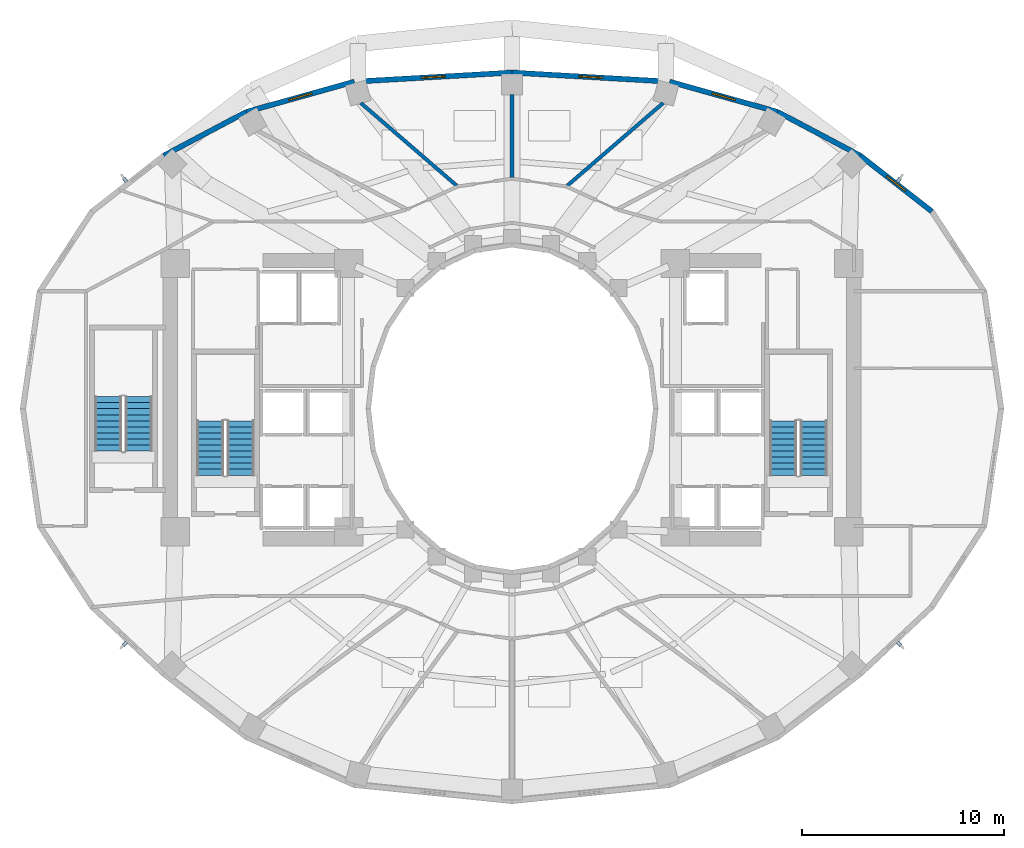
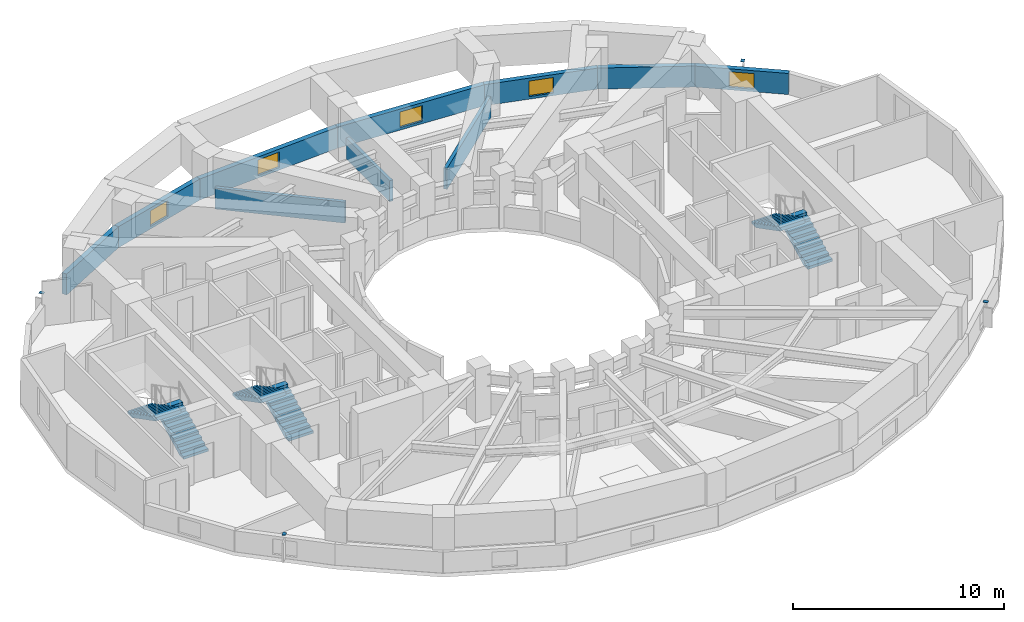
# One storey, part 7 of 10: 10 walls, 6 stair flights, 5 windows, 4 discrete accessories, 5 openings, 3 elements without a shape of their own.
"""IFC4 building model written with IfcOpenShell, lengths in metres."""

from ifc_helpers import new_model, si_unit, direction, frame, frame_2d, origin, origin_2d, place, context, subcontext, project, spatial, polyline, rectangle, outline, extrude, material, layer, layer_set, type_object, element, fill, aggregate, save


model = new_model("IFC4")

# Units and contexts
model_context = context("Model", 3, precision=1e-05, world=origin(), true_north=direction((0.0, 1.0)))
body_context = subcontext(model_context, "Body", "Model", "MODEL_VIEW")
ifc_project = project(units=[si_unit("LENGTHUNIT", "METRE"), si_unit("AREAUNIT", "SQUARE_METRE"), si_unit("VOLUMEUNIT", "CUBIC_METRE"), si_unit("PLANEANGLEUNIT", "RADIAN"), si_unit("MASSUNIT", "GRAM", prefix="KILO")], contexts=[model_context])

# Site, building, storey
site_placement = place(None, origin())
site = spatial("IfcSite", under=ifc_project, at=site_placement, CompositionType="ELEMENT")
building_placement = place(site_placement, origin())
building = spatial("IfcBuilding", under=site, at=building_placement, Name="Solvane Sanctuary Tower", CompositionType="ELEMENT")
storey_placement = place(building_placement, frame((0.0, 0.0, 101.10009765625)))
storey = spatial("IfcBuildingStorey", under=building, at=storey_placement, Name="L30", CompositionType="ELEMENT", Elevation=101.10009765625)

# Wall, opening, window
ifc_material_1 = material(Name="Precast concrete C40/50", Category="concrete")
ifc_layer_1 = layer(ifc_material_1, 0.260009765625, Name="Precast concrete C40/50")
ifc_layer_set_1 = layer_set([ifc_layer_1], Name="Precast concrete C40/50")
wall_type_1 = type_object("IfcWallType", Name="Wall W-EXT-250", PredefinedType="STANDARD", material=ifc_layer_set_1)
wall_1_placement = place(storey_placement, frame((52.820556640625, 32.786376953125, 0.0), z_axis=(0.0, 0.0, 1.0), x_axis=(-0.789127449954, 0.614229491094, 0.0)))
wall_1 = element("IfcWall", 1, at=wall_1_placement, inside=storey, type_object=wall_type_1, Name="L30 Ceramic-Printed Facade Wall 02", PredefinedType="STANDARD", context=body_context, shape_type="SweptSolid", body=[
    extrude(rectangle(XDim=4.504638671875, YDim=0.260009765625, at=frame_2d((2.25244140625, 0.0))), origin(), (0.0, 0.0, 1.0), 1.219970703125),
])
opening_1_placement = place(wall_1_placement, frame((1.65234375, 0.0, 0.14990234375)))
opening_1 = element("IfcOpeningElement", 2, at=opening_1_placement, cuts=wall_1, Name="Opening WN-OPER-1200", PredefinedType="OPENING", context=body_context, shape_type="SweptSolid", body=[
    extrude(rectangle(XDim=1.199951171875, YDim=0.89990234375, at=frame_2d((0.60009765625, 0.449951171875))), frame((0.0, 0.139892578125, 0.0), z_axis=(0.0, -1.0, 0.0), x_axis=(1.0, 0.0, 0.0)), (0.0, 0.0, 1.0), 0.280029296875),
])
ifc_material_2 = material(Name="Dark Ceramic-Fritted Low-E Glass", Category="glass")
window_type = type_object("IfcWindowType", Name="Window WN-OPER-1200", PartitioningType="SINGLE_PANEL", PredefinedType="WINDOW", material=ifc_material_2)
window_1_placement = place(opening_1_placement, origin())
window_1 = element("IfcWindow", 3, at=window_1_placement, inside=storey, type_object=window_type, Name="L30 Operable Facade Window 02", OverallHeight=0.89990234375, OverallWidth=1.199951171875, PartitioningType="SINGLE_PANEL", PredefinedType="WINDOW", context=body_context, shape_type="SweptSolid", body=[
    extrude(rectangle(XDim=1.199951171875, YDim=0.89990234375, at=frame_2d((0.60009765625, 0.449951171875))), frame((0.0, 0.030029296875, 0.0), z_axis=(0.0, -1.0, 0.0), x_axis=(1.0, 0.0, 0.0)), (0.0, 0.0, 1.0), 0.06005859375),
])
fill(opening_1, window_1)

# Wall
wall_2_placement = place(storey_placement, frame((49.265869140625, 35.55322265625, 0.0), z_axis=(0.0, 0.0, 1.0), x_axis=(-0.883668636807, 0.4681129568, 0.0)))
element("IfcWall", 4, at=wall_2_placement, inside=storey, type_object=wall_type_1, Name="L30 Ceramic-Printed Facade Wall 03", PredefinedType="STANDARD", context=body_context, shape_type="SweptSolid", body=[
    extrude(rectangle(XDim=4.63134765625, YDim=0.260009765625, at=frame_2d((2.315673828125, 0.0))), origin(), (0.0, 0.0, 1.0), 1.219970703125),
])

# Wall, opening, window
wall_3_placement = place(storey_placement, frame((45.17333984375, 37.72119140625, 0.0), z_axis=(0.0, 0.0, 1.0), x_axis=(-0.962938491413, 0.269721081407, 0.0)))
wall_3 = element("IfcWall", 5, at=wall_3_placement, inside=storey, type_object=wall_type_1, Name="L30 Ceramic-Printed Facade Wall 04", PredefinedType="STANDARD", context=body_context, shape_type="SweptSolid", body=[
    extrude(rectangle(XDim=5.563232421875, YDim=0.260009765625, at=frame_2d((2.78173828125, 0.0))), origin(), (0.0, 0.0, 1.0), 1.219970703125),
])
opening_2_placement = place(wall_3_placement, frame((2.181640625, 0.0, 0.14990234375)))
opening_2 = element("IfcOpeningElement", 6, at=opening_2_placement, cuts=wall_3, Name="Opening WN-OPER-1200", PredefinedType="OPENING", context=body_context, shape_type="SweptSolid", body=[
    extrude(rectangle(XDim=1.199951171875, YDim=0.89990234375, at=frame_2d((0.60009765625, 0.449951171875))), frame((0.0, 0.139892578125, 0.0), z_axis=(0.0, -1.0, 0.0), x_axis=(1.0, 0.0, 0.0)), (0.0, 0.0, 1.0), 0.280029296875),
])
window_2_placement = place(opening_2_placement, origin())
window_2 = element("IfcWindow", 7, at=window_2_placement, inside=storey, type_object=window_type, Name="L30 Operable Facade Window 04", OverallHeight=0.89990234375, OverallWidth=1.199951171875, PartitioningType="SINGLE_PANEL", PredefinedType="WINDOW", context=body_context, shape_type="SweptSolid", body=[
    extrude(rectangle(XDim=1.199951171875, YDim=0.89990234375, at=frame_2d((0.60009765625, 0.449951171875))), frame((0.0, 0.030029296875, 0.0), z_axis=(0.0, -1.0, 0.0), x_axis=(1.0, 0.0, 0.0)), (0.0, 0.0, 1.0), 0.06005859375),
])
fill(opening_2, window_2)

wall_4_placement = place(storey_placement, frame((39.81640625, 39.2216796875, 0.0), z_axis=(0.0, 0.0, 1.0), x_axis=(-0.998352606703, 0.057376586592, 0.0)))
wall_4 = element("IfcWall", 8, at=wall_4_placement, inside=storey, type_object=wall_type_1, Name="L30 Ceramic-Printed Facade Wall 05", PredefinedType="STANDARD", context=body_context, shape_type="SweptSolid", body=[
    extrude(rectangle(XDim=7.829345703125, YDim=0.260009765625, at=frame_2d((3.91455078125, 0.0))), origin(), (0.0, 0.0, 1.0), 1.219970703125),
])
opening_3_placement = place(wall_4_placement, frame((3.314697265625, 0.0, 0.14990234375)))
opening_3 = element("IfcOpeningElement", 9, at=opening_3_placement, cuts=wall_4, Name="Opening WN-OPER-1200", PredefinedType="OPENING", context=body_context, shape_type="SweptSolid", body=[
    extrude(rectangle(XDim=1.199951171875, YDim=0.89990234375, at=frame_2d((0.60009765625, 0.449951171875))), frame((0.0, 0.139892578125, 0.0), z_axis=(0.0, -1.0, 0.0), x_axis=(1.0, 0.0, 0.0)), (0.0, 0.0, 1.0), 0.280029296875),
])
window_3_placement = place(opening_3_placement, origin())
window_3 = element("IfcWindow", 10, at=window_3_placement, inside=storey, type_object=window_type, Name="L30 Operable Facade Window 05", OverallHeight=0.89990234375, OverallWidth=1.199951171875, PartitioningType="SINGLE_PANEL", PredefinedType="WINDOW", context=body_context, shape_type="SweptSolid", body=[
    extrude(rectangle(XDim=1.199951171875, YDim=0.89990234375, at=frame_2d((0.60009765625, 0.449951171875))), frame((0.0, 0.030029296875, 0.0), z_axis=(0.0, -1.0, 0.0), x_axis=(1.0, 0.0, 0.0)), (0.0, 0.0, 1.0), 0.06005859375),
])
fill(opening_3, window_3)

wall_5_placement = place(storey_placement, frame((32.0, 39.6708984375, 0.0), z_axis=(0.0, 0.0, 1.0), x_axis=(-0.998352606703, -0.057376586592, 0.0)))
wall_5 = element("IfcWall", 11, at=wall_5_placement, inside=storey, type_object=wall_type_1, Name="L30 Ceramic-Printed Facade Wall 06", PredefinedType="STANDARD", context=body_context, shape_type="SweptSolid", body=[
    extrude(rectangle(XDim=7.829345703125, YDim=0.260009765625, at=frame_2d((3.91455078125, 0.0))), origin(), (0.0, 0.0, 1.0), 1.219970703125),
])
opening_4_placement = place(wall_5_placement, frame((3.314697265625, 0.0, 0.14990234375)))
opening_4 = element("IfcOpeningElement", 12, at=opening_4_placement, cuts=wall_5, Name="Opening WN-OPER-1200", PredefinedType="OPENING", context=body_context, shape_type="SweptSolid", body=[
    extrude(rectangle(XDim=1.199951171875, YDim=0.89990234375, at=frame_2d((0.60009765625, 0.449951171875))), frame((0.0, 0.139892578125, 0.0), z_axis=(0.0, -1.0, 0.0), x_axis=(1.0, 0.0, 0.0)), (0.0, 0.0, 1.0), 0.280029296875),
])
window_4_placement = place(opening_4_placement, origin())
window_4 = element("IfcWindow", 13, at=window_4_placement, inside=storey, type_object=window_type, Name="L30 Operable Facade Window 06", OverallHeight=0.89990234375, OverallWidth=1.199951171875, PartitioningType="SINGLE_PANEL", PredefinedType="WINDOW", context=body_context, shape_type="SweptSolid", body=[
    extrude(rectangle(XDim=1.199951171875, YDim=0.89990234375, at=frame_2d((0.60009765625, 0.449951171875))), frame((0.0, 0.030029296875, 0.0), z_axis=(0.0, -1.0, 0.0), x_axis=(1.0, 0.0, 0.0)), (0.0, 0.0, 1.0), 0.06005859375),
])
fill(opening_4, window_4)

wall_6_placement = place(storey_placement, frame((24.18359375, 39.2216796875, 0.0), z_axis=(0.0, 0.0, 1.0), x_axis=(-0.962938491413, -0.269721081407, 0.0)))
wall_6 = element("IfcWall", 14, at=wall_6_placement, inside=storey, type_object=wall_type_1, Name="L30 Ceramic-Printed Facade Wall 07", PredefinedType="STANDARD", context=body_context, shape_type="SweptSolid", body=[
    extrude(rectangle(XDim=5.563232421875, YDim=0.260009765625, at=frame_2d((2.78173828125, 0.0))), origin(), (0.0, 0.0, 1.0), 1.219970703125),
])
opening_5_placement = place(wall_6_placement, frame((2.181640625, 0.0, 0.14990234375)))
opening_5 = element("IfcOpeningElement", 15, at=opening_5_placement, cuts=wall_6, Name="Opening WN-OPER-1200", PredefinedType="OPENING", context=body_context, shape_type="SweptSolid", body=[
    extrude(rectangle(XDim=1.199951171875, YDim=0.89990234375, at=frame_2d((0.60009765625, 0.449951171875))), frame((0.0, 0.139892578125, 0.0), z_axis=(0.0, -1.0, 0.0), x_axis=(1.0, 0.0, 0.0)), (0.0, 0.0, 1.0), 0.280029296875),
])
window_5_placement = place(opening_5_placement, origin())
window_5 = element("IfcWindow", 16, at=window_5_placement, inside=storey, type_object=window_type, Name="L30 Operable Facade Window 07", OverallHeight=0.89990234375, OverallWidth=1.199951171875, PartitioningType="SINGLE_PANEL", PredefinedType="WINDOW", context=body_context, shape_type="SweptSolid", body=[
    extrude(rectangle(XDim=1.199951171875, YDim=0.89990234375, at=frame_2d((0.60009765625, 0.449951171875))), frame((0.0, 0.030029296875, 0.0), z_axis=(0.0, -1.0, 0.0), x_axis=(1.0, 0.0, 0.0)), (0.0, 0.0, 1.0), 0.06005859375),
])
fill(opening_5, window_5)

# Walls
wall_7_placement = place(storey_placement, frame((18.82666015625, 37.72119140625, 0.0), z_axis=(0.0, 0.0, 1.0), x_axis=(-0.883668636807, -0.4681129568, 0.0)))
element("IfcWall", 17, at=wall_7_placement, inside=storey, type_object=wall_type_1, Name="L30 Ceramic-Printed Facade Wall 08", PredefinedType="STANDARD", context=body_context, shape_type="SweptSolid", body=[
    extrude(rectangle(XDim=4.63134765625, YDim=0.260009765625, at=frame_2d((2.315673828125, 0.0))), origin(), (0.0, 0.0, 1.0), 1.219970703125),
])
ifc_material_3 = material(Name="Acoustic Gypsum Partition Board")
ifc_layer_2 = layer(ifc_material_3, 0.179931640625, Name="Acoustic Gypsum Partition Board")
ifc_layer_set_2 = layer_set([ifc_layer_2], Name="Acoustic Gypsum Partition Board")
wall_type_2 = type_object("IfcWallType", Name="Wall W-UNIT-180", PredefinedType="PARTITIONING", material=ifc_layer_set_2)
wall_8_placement = place(storey_placement, frame((34.736083984375, 34.05712890625, 0.0), z_axis=(0.0, 0.0, 1.0), x_axis=(0.757299396002, 0.65306785621, 0.0)))
element("IfcWall", 18, at=wall_8_placement, inside=storey, type_object=wall_type_2, Name="L30 Radial Compartment Wall 075", PredefinedType="PARTITIONING", context=body_context, shape_type="SweptSolid", body=[
    extrude(rectangle(XDim=6.2890625, YDim=0.179931640625, at=frame_2d((3.14453125, 0.0))), origin(), (0.0, 0.0, 1.0), 1.219970703125),
])
wall_9_placement = place(storey_placement, frame((32.0, 34.465087890625, 0.0), z_axis=(0.0, 0.0, 1.0), x_axis=(0.0, 1.0, 0.0)))
element("IfcWall", 19, at=wall_9_placement, inside=storey, type_object=wall_type_2, Name="L30 Radial Compartment Wall 090", PredefinedType="PARTITIONING", context=body_context, shape_type="SweptSolid", body=[
    extrude(rectangle(XDim=4.10986328125, YDim=0.179931640625, at=frame_2d((2.054931640625, 0.0))), origin(), (0.0, 0.0, 1.0), 1.219970703125),
])
wall_10_placement = place(storey_placement, frame((29.263916015625, 34.05712890625, 0.0), z_axis=(0.0, 0.0, 1.0), x_axis=(-0.757299396002, 0.65306785621, 0.0)))
element("IfcWall", 20, at=wall_10_placement, inside=storey, type_object=wall_type_2, Name="L30 Radial Compartment Wall 105", PredefinedType="PARTITIONING", context=body_context, shape_type="SweptSolid", body=[
    extrude(rectangle(XDim=6.2890625, YDim=0.179931640625, at=frame_2d((3.14453125, 0.0))), origin(), (0.0, 0.0, 1.0), 1.219970703125),
])

# Stair, stair flights
ifc_material_4 = material(Name="Concrete C45/55", Category="concrete")
stair_type = type_object("IfcStairType", Name="Stair ST-TOW", PredefinedType="HALF_TURN_STAIR", material=ifc_material_4)
stair_1_placement = place(storey_placement, origin())
stair_1 = element("IfcStair", 21, at=stair_1_placement, inside=storey, type_object=stair_type, Name="L30 Exit Stair ST-1 West Core", PredefinedType="HALF_TURN_STAIR")
stair_flight_type = type_object("IfcStairFlightType", Name="StairFlight SF-TOW", PredefinedType="STRAIGHT", material=ifc_material_4)
stair_flight_1_placement = place(storey_placement, frame((18.544921875, 19.699951171875, 0.0), z_axis=(0.0, 0.0, 1.0), x_axis=(0.0, 1.0, 0.0)))
stair_flight_1 = element("IfcStairFlight", 22, at=stair_flight_1_placement, type_object=stair_flight_type, Name="ST-1 flight 1", NumberOfRisers=10, NumberOfTreads=9, PredefinedType="STRAIGHT", RiserHeight=0.155, TreadLength=0.3, context=body_context, shape_type="SweptSolid", body=[
    extrude(outline(polyline([(0.0, 0.0), (0.0, 0.155029296875), (0.300048828125, 0.155029296875), (0.300048828125, 0.31005859375), (0.60009765625, 0.31005859375), (0.60009765625, 0.465087890625), (0.89990234375, 0.465087890625), (0.89990234375, 0.6201171875), (1.199951171875, 0.6201171875), (1.199951171875, 0.77490234375), (1.5, 0.77490234375), (1.5, 0.929931640625), (1.800048828125, 0.929931640625), (1.800048828125, 1.0849609375), (2.10009765625, 1.0849609375), (2.10009765625, 1.239990234375), (2.39990234375, 1.239990234375), (2.39990234375, 1.39501953125), (2.699951171875, 1.39501953125), (2.699951171875, 1.550048828125), (2.699951171875, 1.1923828125), (0.39208984375, 0.0), (0.0, 0.0)])), frame((0.0, 0.675048828125, 0.0), z_axis=(0.0, -1.0, 0.0), x_axis=(1.0, 0.0, 0.0)), (0.0, 0.0, 1.0), 1.35009765625),
])
stair_flight_2_placement = place(storey_placement, frame((17.034912109375, 22.39990234375, 1.5498046875), z_axis=(0.0, 0.0, 1.0), x_axis=(0.0, -1.0, 0.0)))
stair_flight_2 = element("IfcStairFlight", 23, at=stair_flight_2_placement, type_object=stair_flight_type, Name="ST-1 flight 2", NumberOfRisers=10, NumberOfTreads=9, PredefinedType="STRAIGHT", RiserHeight=0.155, TreadLength=0.3, context=body_context, shape_type="SweptSolid", body=[
    extrude(outline(polyline([(0.0, 0.0), (0.0, 0.155029296875), (0.300048828125, 0.155029296875), (0.300048828125, 0.31005859375), (0.60009765625, 0.31005859375), (0.60009765625, 0.465087890625), (0.89990234375, 0.465087890625), (0.89990234375, 0.6201171875), (1.199951171875, 0.6201171875), (1.199951171875, 0.77490234375), (1.5, 0.77490234375), (1.5, 0.929931640625), (1.800048828125, 0.929931640625), (1.800048828125, 1.0849609375), (2.10009765625, 1.0849609375), (2.10009765625, 1.239990234375), (2.39990234375, 1.239990234375), (2.39990234375, 1.39501953125), (2.699951171875, 1.39501953125), (2.699951171875, 1.550048828125), (2.699951171875, 1.1923828125), (0.39208984375, 0.0), (0.0, 0.0)])), frame((0.0, 0.675048828125, 0.0), z_axis=(0.0, -1.0, 0.0), x_axis=(1.0, 0.0, 0.0)), (0.0, 0.0, 1.0), 1.35009765625),
])
aggregate(stair_1, [stair_flight_1, stair_flight_2])

stair_2_placement = place(storey_placement, origin())
stair_2 = element("IfcStair", 24, at=stair_2_placement, inside=storey, type_object=stair_type, Name="L30 Exit Stair ST-2 East Core", PredefinedType="HALF_TURN_STAIR")
stair_flight_3_placement = place(storey_placement, frame((46.965087890625, 19.699951171875, 0.0), z_axis=(0.0, 0.0, 1.0), x_axis=(0.0, 1.0, 0.0)))
stair_flight_3 = element("IfcStairFlight", 25, at=stair_flight_3_placement, type_object=stair_flight_type, Name="ST-2 flight 1", NumberOfRisers=10, NumberOfTreads=9, PredefinedType="STRAIGHT", RiserHeight=0.155, TreadLength=0.3, context=body_context, shape_type="SweptSolid", body=[
    extrude(outline(polyline([(0.0, 0.0), (0.0, 0.155029296875), (0.300048828125, 0.155029296875), (0.300048828125, 0.31005859375), (0.60009765625, 0.31005859375), (0.60009765625, 0.465087890625), (0.89990234375, 0.465087890625), (0.89990234375, 0.6201171875), (1.199951171875, 0.6201171875), (1.199951171875, 0.77490234375), (1.5, 0.77490234375), (1.5, 0.929931640625), (1.800048828125, 0.929931640625), (1.800048828125, 1.0849609375), (2.10009765625, 1.0849609375), (2.10009765625, 1.239990234375), (2.39990234375, 1.239990234375), (2.39990234375, 1.39501953125), (2.699951171875, 1.39501953125), (2.699951171875, 1.550048828125), (2.699951171875, 1.1923828125), (0.39208984375, 0.0), (0.0, 0.0)])), frame((0.0, 0.675048828125, 0.0), z_axis=(0.0, -1.0, 0.0), x_axis=(1.0, 0.0, 0.0)), (0.0, 0.0, 1.0), 1.35009765625),
])
stair_flight_4_placement = place(storey_placement, frame((45.455078125, 22.39990234375, 1.5498046875), z_axis=(0.0, 0.0, 1.0), x_axis=(0.0, -1.0, 0.0)))
stair_flight_4 = element("IfcStairFlight", 26, at=stair_flight_4_placement, type_object=stair_flight_type, Name="ST-2 flight 2", NumberOfRisers=10, NumberOfTreads=9, PredefinedType="STRAIGHT", RiserHeight=0.155, TreadLength=0.3, context=body_context, shape_type="SweptSolid", body=[
    extrude(outline(polyline([(0.0, 0.0), (0.0, 0.155029296875), (0.300048828125, 0.155029296875), (0.300048828125, 0.31005859375), (0.60009765625, 0.31005859375), (0.60009765625, 0.465087890625), (0.89990234375, 0.465087890625), (0.89990234375, 0.6201171875), (1.199951171875, 0.6201171875), (1.199951171875, 0.77490234375), (1.5, 0.77490234375), (1.5, 0.929931640625), (1.800048828125, 0.929931640625), (1.800048828125, 1.0849609375), (2.10009765625, 1.0849609375), (2.10009765625, 1.239990234375), (2.39990234375, 1.239990234375), (2.39990234375, 1.39501953125), (2.699951171875, 1.39501953125), (2.699951171875, 1.550048828125), (2.699951171875, 1.1923828125), (0.39208984375, 0.0), (0.0, 0.0)])), frame((0.0, 0.675048828125, 0.0), z_axis=(0.0, -1.0, 0.0), x_axis=(1.0, 0.0, 0.0)), (0.0, 0.0, 1.0), 1.35009765625),
])
aggregate(stair_2, [stair_flight_3, stair_flight_4])

stair_3_placement = place(storey_placement, origin())
stair_3 = element("IfcStair", 27, at=stair_3_placement, inside=storey, type_object=stair_type, Name="L30 Exit Stair ST-3 Pilgrim Tower Stair", PredefinedType="HALF_TURN_STAIR")
stair_flight_5_placement = place(storey_placement, frame((13.485107421875, 20.89990234375, 0.0), z_axis=(0.0, 0.0, 1.0), x_axis=(0.0, 1.0, 0.0)))
stair_flight_5 = element("IfcStairFlight", 28, at=stair_flight_5_placement, type_object=stair_flight_type, Name="ST-3 flight 1", NumberOfRisers=10, NumberOfTreads=9, PredefinedType="STRAIGHT", RiserHeight=0.155, TreadLength=0.3, context=body_context, shape_type="SweptSolid", body=[
    extrude(outline(polyline([(0.0, 0.0), (0.0, 0.155029296875), (0.300048828125, 0.155029296875), (0.300048828125, 0.31005859375), (0.60009765625, 0.31005859375), (0.60009765625, 0.465087890625), (0.89990234375, 0.465087890625), (0.89990234375, 0.6201171875), (1.199951171875, 0.6201171875), (1.199951171875, 0.77490234375), (1.5, 0.77490234375), (1.5, 0.929931640625), (1.800048828125, 0.929931640625), (1.800048828125, 1.0849609375), (2.10009765625, 1.0849609375), (2.10009765625, 1.239990234375), (2.39990234375, 1.239990234375), (2.39990234375, 1.39501953125), (2.699951171875, 1.39501953125), (2.699951171875, 1.550048828125), (2.699951171875, 1.1923828125), (0.39208984375, 0.0), (0.0, 0.0)])), frame((0.0, 0.675048828125, 0.0), z_axis=(0.0, -1.0, 0.0), x_axis=(1.0, 0.0, 0.0)), (0.0, 0.0, 1.0), 1.35009765625),
])
stair_flight_6_placement = place(storey_placement, frame((11.97509765625, 23.60009765625, 1.5498046875), z_axis=(0.0, 0.0, 1.0), x_axis=(0.0, -1.0, 0.0)))
stair_flight_6 = element("IfcStairFlight", 29, at=stair_flight_6_placement, type_object=stair_flight_type, Name="ST-3 flight 2", NumberOfRisers=10, NumberOfTreads=9, PredefinedType="STRAIGHT", RiserHeight=0.155, TreadLength=0.3, context=body_context, shape_type="SweptSolid", body=[
    extrude(outline(polyline([(0.0, 0.0), (0.0, 0.155029296875), (0.300048828125, 0.155029296875), (0.300048828125, 0.31005859375), (0.60009765625, 0.31005859375), (0.60009765625, 0.465087890625), (0.89990234375, 0.465087890625), (0.89990234375, 0.6201171875), (1.199951171875, 0.6201171875), (1.199951171875, 0.77490234375), (1.5, 0.77490234375), (1.5, 0.929931640625), (1.800048828125, 0.929931640625), (1.800048828125, 1.0849609375), (2.10009765625, 1.0849609375), (2.10009765625, 1.239990234375), (2.39990234375, 1.239990234375), (2.39990234375, 1.39501953125), (2.699951171875, 1.39501953125), (2.699951171875, 1.550048828125), (2.699951171875, 1.1923828125), (0.39208984375, 0.0), (0.0, 0.0)])), frame((0.0, 0.675048828125, 0.0), z_axis=(0.0, -1.0, 0.0), x_axis=(1.0, 0.0, 0.0)), (0.0, 0.0, 1.0), 1.35009765625),
])
aggregate(stair_3, [stair_flight_5, stair_flight_6])

# Discrete accessories
ifc_material_5 = material(Name="Steel ASTM A500 Grade C", Category="steel")
ifc_layer_3 = layer(ifc_material_5, 0.02490234375, Name="Steel ASTM A500 Grade C")
ifc_layer_set_3 = layer_set([ifc_layer_3], Name="Steel ASTM A500 Grade C")
discrete_accessory_type = type_object("IfcDiscreteAccessoryType", Name="Accessory BRK-FACADE", PredefinedType="BRACKET", material=ifc_layer_set_3)
for number, where, z_axis, x_axis, name in (
    (30, (51.190673828125, 34.359130859375, 1.487548828125), (0.0, 0.0, 1.0), (-0.789141976346, 0.614210827948, 0.0), "L30 Solar Fin Bracket 02"),
    (31, (12.809326171875, 34.359130859375, 1.487548828125), (0.0, 0.0, 1.0), (-0.789141976346, -0.614210827948, 0.0), "L30 Solar Fin Bracket 09"),
    (32, (12.792724609375, 11.334716796875, 1.487548828125), (0.0, 0.0, 1.0), (0.730175394401, -0.683259755445, 0.0), "L30 Solar Fin Bracket 14"),
    (33, (51.207275390625, 11.334716796875, 1.487548828125), (0.0, 0.0, 1.0), (0.730175394401, 0.683259755445, 0.0), "L30 Solar Fin Bracket 21"),
):
    element("IfcDiscreteAccessory", number, at=place(storey_placement, frame(where, z_axis=z_axis, x_axis=x_axis)), inside=storey, type_object=discrete_accessory_type, Name=name, PredefinedType="BRACKET", context=body_context, shape_type="SweptSolid", body=[
        extrude(rectangle(XDim=0.179931640625, YDim=0.239990234375, at=origin_2d()), origin(), (0.0, 0.0, 1.0), 0.02490234375),
    ])

save(model, "model.ifc")
